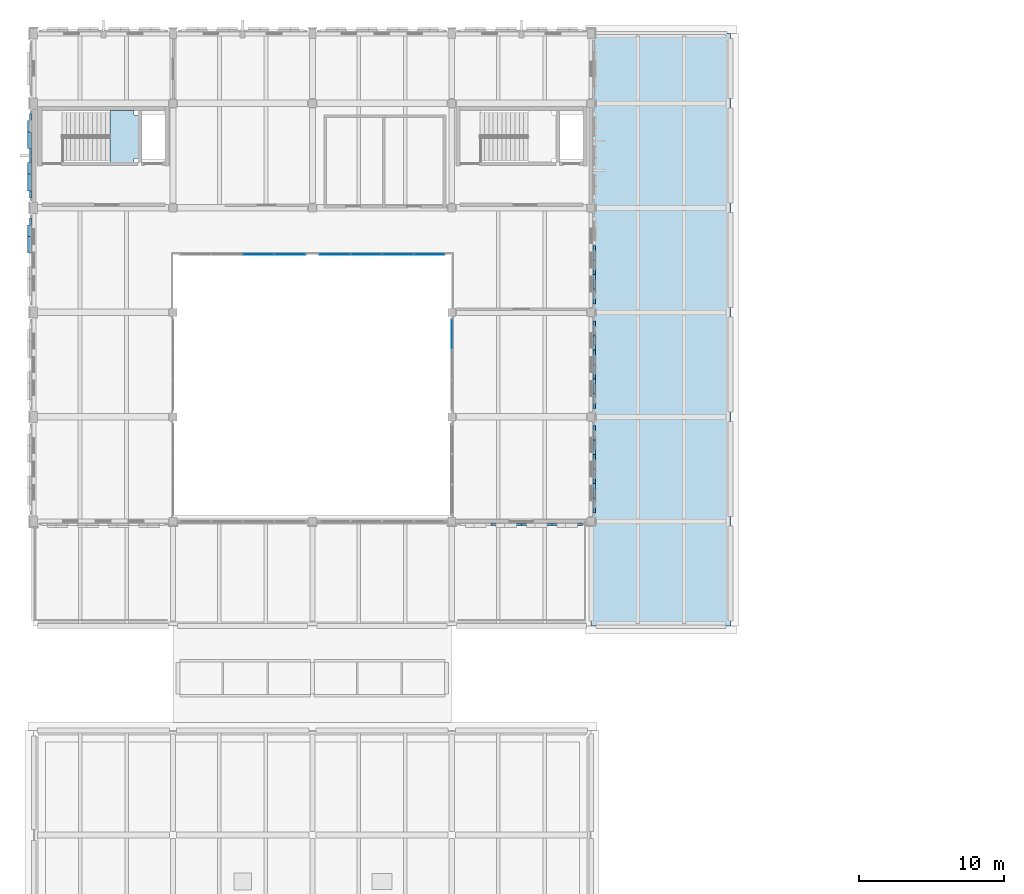
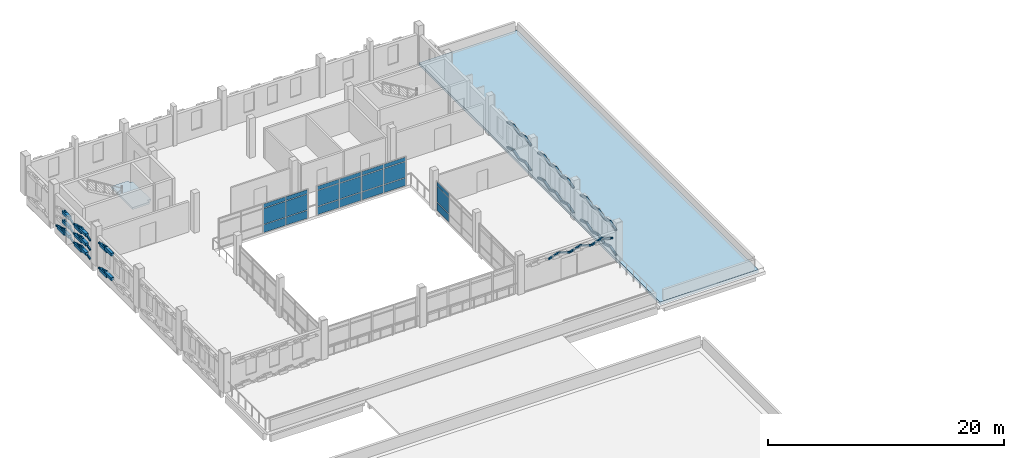
# One storey, part 30 of 50: 85 plates, 2 slabs, 4 elements without a shape of their own.
"""IFC4 building model written with IfcOpenShell, lengths in metres."""

from ifc_helpers import new_model, si_unit, direction, frame, origin, origin_2d, place, context, subcontext, project, spatial, polyline, rectangle, hollow_rectangle, outline, extrude, material, layer, layer_set, material_profile, profile_set, type_object, element, aggregate, save


model = new_model("IFC4")

# Units and contexts
model_context = context("Model", 3, precision=1e-05, world=origin(), true_north=direction((0.0, 1.0)))
body_context = subcontext(model_context, "Body", "Model", "MODEL_VIEW")
ifc_project = project(units=[si_unit("LENGTHUNIT", "METRE"), si_unit("AREAUNIT", "SQUARE_METRE"), si_unit("VOLUMEUNIT", "CUBIC_METRE"), si_unit("PLANEANGLEUNIT", "RADIAN"), si_unit("MASSUNIT", "GRAM", prefix="KILO")], contexts=[model_context])

# Site, building, storey
site_placement = place(None, origin())
site = spatial("IfcSite", under=ifc_project, at=site_placement, CompositionType="ELEMENT")
building_placement = place(site_placement, origin())
building = spatial("IfcBuilding", under=site, at=building_placement, Name="Asteropetra Specialist Clinic", CompositionType="ELEMENT")
storey_placement = place(building_placement, frame((0.0, 0.0, 16.659912109375)))
storey = spatial("IfcBuildingStorey", under=building, at=storey_placement, Name="L04", CompositionType="ELEMENT", Elevation=16.659912109375)

# Plates
ifc_material_1 = material(Name="Chevron emerald aluminium 6063-T6", Category="aluminium")
ifc_material_profile = material_profile(ifc_material_1, hollow_rectangle(XDim=0.159912109375, YDim=0.159912109375, WallThickness=0.008056640625, InnerFilletRadius=0.008056640625, OuterFilletRadius=0.01611328125, at=origin_2d()), Name="SHS 160x160x8.0")
ifc_profile_set = profile_set([ifc_material_profile], Name="Chevron emerald aluminium 6063-T6")
plate_type_1 = type_object("IfcPlateType", Name="CHV-RIB-160", PredefinedType="SHEET", material=ifc_profile_set)
plate_1_placement = place(storey_placement, frame((31.517578125, 76.5830078125, 2.6201171875), z_axis=(0.95198867955, 0.0, 0.30613322918), x_axis=(0.0, 1.0, 0.0)))
element("IfcPlate", 1, at=plate_1_placement, inside=storey, type_object=plate_type_1, Name="Chevron Facade Screen Fin CVR-1531", PredefinedType="SHEET", context=body_context, shape_type="SweptSolid", body=[
    extrude(hollow_rectangle(XDim=0.159912109375, YDim=0.159912109375, WallThickness=0.008056640625, InnerFilletRadius=0.008056640625, OuterFilletRadius=0.01611328125, at=origin_2d()), origin(), (0.0, 0.0, 1.0), 1.0830078125),
])
plate_2_placement = place(storey_placement, frame((32.548583984375, 76.5830078125, 2.95166015625), z_axis=(0.95203090576, 0.0, -0.306001886396), x_axis=(0.0, 1.0, 0.0)))
element("IfcPlate", 2, at=plate_2_placement, inside=storey, type_object=plate_type_1, Name="Chevron Facade Screen Fin CVR-1532", PredefinedType="SHEET", context=body_context, shape_type="SweptSolid", body=[
    extrude(hollow_rectangle(XDim=0.159912109375, YDim=0.159912109375, WallThickness=0.008056640625, InnerFilletRadius=0.008056640625, OuterFilletRadius=0.01611328125, at=origin_2d()), origin(), (0.0, 0.0, 1.0), 1.08349609375),
])
plate_3_placement = place(storey_placement, frame((33.6201171875, 76.5830078125, 2.6201171875), z_axis=(0.95198867955, 0.0, 0.30613322918), x_axis=(0.0, 1.0, 0.0)))
element("IfcPlate", 3, at=plate_3_placement, inside=storey, type_object=plate_type_1, Name="Chevron Facade Screen Fin CVR-1533", PredefinedType="SHEET", context=body_context, shape_type="SweptSolid", body=[
    extrude(hollow_rectangle(XDim=0.159912109375, YDim=0.159912109375, WallThickness=0.008056640625, InnerFilletRadius=0.008056640625, OuterFilletRadius=0.01611328125, at=origin_2d()), origin(), (0.0, 0.0, 1.0), 1.0830078125),
])
plate_4_placement = place(storey_placement, frame((34.651123046875, 76.5830078125, 2.95166015625), z_axis=(0.95203090576, 0.0, -0.306001886396), x_axis=(0.0, 1.0, 0.0)))
element("IfcPlate", 4, at=plate_4_placement, inside=storey, type_object=plate_type_1, Name="Chevron Facade Screen Fin CVR-1534", PredefinedType="SHEET", context=body_context, shape_type="SweptSolid", body=[
    extrude(hollow_rectangle(XDim=0.159912109375, YDim=0.159912109375, WallThickness=0.008056640625, InnerFilletRadius=0.008056640625, OuterFilletRadius=0.01611328125, at=origin_2d()), origin(), (0.0, 0.0, 1.0), 1.08349609375),
])
for number, where, z_axis, x_axis, name in (
    (5, (35.722412109375, 76.5830078125, 2.6201171875), (0.95200979945, 0.0, 0.306067544426), (0.0, 1.0, 0.0), "Chevron Facade Screen Fin CVR-1535"),
    (6, (36.753662109375, 76.5830078125, 2.95166015625), (0.95200979945, 0.0, -0.306067544426), (0.0, 1.0, 0.0), "Chevron Facade Screen Fin CVR-1536"),
):
    element("IfcPlate", number, at=place(storey_placement, frame(where, z_axis=z_axis, x_axis=x_axis)), inside=storey, type_object=plate_type_1, Name=name, PredefinedType="SHEET", context=body_context, shape_type="SweptSolid", body=[
        extrude(hollow_rectangle(XDim=0.159912109375, YDim=0.159912109375, WallThickness=0.008056640625, InnerFilletRadius=0.008056640625, OuterFilletRadius=0.01611328125, at=origin_2d()), origin(), (0.0, 0.0, 1.0), 1.083251953125),
    ])
for number, where, z_axis, x_axis, name in (
    (7, (38.616943359375, 77.4150390625, 0.050048828125), (0.0, 0.951922588053, 0.306338679169), (-1.0, 0.0, 0.0), "Chevron Facade Screen Fin CVR-1557"),
    (8, (38.616943359375, 78.396728515625, 0.365966796875), (0.0, 0.951922588053, -0.306338679169), (-1.0, 0.0, 0.0), "Chevron Facade Screen Fin CVR-1558"),
    (9, (38.616943359375, 77.4150390625, 2.64013671875), (0.0, 0.951991604152, 0.306124134337), (-1.0, 0.0, 0.0), "Chevron Facade Screen Fin CVR-1559"),
    (10, (38.616943359375, 78.396728515625, 2.955810546875), (0.0, 0.951991604152, -0.306124134337), (-1.0, 0.0, 0.0), "Chevron Facade Screen Fin CVR-1560"),
    (11, (38.616943359375, 79.418212890625, 0.050048828125), (0.0, 0.951922588053, 0.306338679169), (-1.0, 0.0, 0.0), "Chevron Facade Screen Fin CVR-1561"),
    (12, (38.616943359375, 80.39990234375, 0.365966796875), (0.0, 0.951922588053, -0.306338679169), (-1.0, 0.0, 0.0), "Chevron Facade Screen Fin CVR-1562"),
    (13, (38.616943359375, 79.418212890625, 2.64013671875), (0.0, 0.951991604152, 0.306124134337), (-1.0, 0.0, 0.0), "Chevron Facade Screen Fin CVR-1563"),
    (14, (38.616943359375, 80.39990234375, 2.955810546875), (0.0, 0.951991604152, -0.306124134337), (-1.0, 0.0, 0.0), "Chevron Facade Screen Fin CVR-1564"),
    (15, (38.616943359375, 81.421630859375, 0.050048828125), (0.0, 0.951922588053, 0.306338679169), (-1.0, 0.0, 0.0), "Chevron Facade Screen Fin CVR-1565"),
    (16, (38.616943359375, 82.4033203125, 0.365966796875), (0.0, 0.951922588053, -0.306338679169), (-1.0, 0.0, 0.0), "Chevron Facade Screen Fin CVR-1566"),
    (17, (38.616943359375, 81.421630859375, 2.64013671875), (0.0, 0.951991604152, 0.306124134337), (-1.0, 0.0, 0.0), "Chevron Facade Screen Fin CVR-1567"),
    (18, (38.616943359375, 82.4033203125, 2.955810546875), (0.0, 0.951991604152, -0.306124134337), (-1.0, 0.0, 0.0), "Chevron Facade Screen Fin CVR-1568"),
    (19, (38.616943359375, 84.614990234375, 0.050048828125), (0.0, 0.951922588053, 0.306338679169), (-1.0, 0.0, 0.0), "Chevron Facade Screen Fin CVR-1577"),
    (20, (38.616943359375, 85.5966796875, 0.365966796875), (0.0, 0.951922588053, -0.306338679169), (-1.0, 0.0, 0.0), "Chevron Facade Screen Fin CVR-1578"),
    (21, (38.616943359375, 84.614990234375, 2.64013671875), (0.0, 0.951991604152, 0.306124134337), (-1.0, 0.0, 0.0), "Chevron Facade Screen Fin CVR-1579"),
    (22, (38.616943359375, 85.5966796875, 2.955810546875), (0.0, 0.951991604152, -0.306124134337), (-1.0, 0.0, 0.0), "Chevron Facade Screen Fin CVR-1580"),
    (23, (38.616943359375, 86.618408203125, 0.050048828125), (0.0, 0.951922588053, 0.306338679169), (-1.0, 0.0, 0.0), "Chevron Facade Screen Fin CVR-1581"),
    (24, (38.616943359375, 87.60009765625, 0.365966796875), (0.0, 0.951922588053, -0.306338679169), (-1.0, 0.0, 0.0), "Chevron Facade Screen Fin CVR-1582"),
    (25, (38.616943359375, 86.618408203125, 2.64013671875), (0.0, 0.951991604152, 0.306124134337), (-1.0, 0.0, 0.0), "Chevron Facade Screen Fin CVR-1583"),
    (26, (38.616943359375, 87.60009765625, 2.955810546875), (0.0, 0.951991604152, -0.306124134337), (-1.0, 0.0, 0.0), "Chevron Facade Screen Fin CVR-1584"),
    (27, (38.616943359375, 88.62158203125, 0.050048828125), (0.0, 0.951922588053, 0.306338679169), (-1.0, 0.0, 0.0), "Chevron Facade Screen Fin CVR-1585"),
    (28, (38.616943359375, 89.603271484375, 0.365966796875), (0.0, 0.951922588053, -0.306338679169), (-1.0, 0.0, 0.0), "Chevron Facade Screen Fin CVR-1586"),
    (29, (38.616943359375, 88.62158203125, 2.64013671875), (0.0, 0.951991604152, 0.306124134337), (-1.0, 0.0, 0.0), "Chevron Facade Screen Fin CVR-1587"),
    (30, (38.616943359375, 89.603271484375, 2.955810546875), (0.0, 0.951991604152, -0.306124134337), (-1.0, 0.0, 0.0), "Chevron Facade Screen Fin CVR-1588"),
):
    element("IfcPlate", number, at=place(storey_placement, frame(where, z_axis=z_axis, x_axis=x_axis)), inside=storey, type_object=plate_type_1, Name=name, PredefinedType="SHEET", context=body_context, shape_type="SweptSolid", body=[
        extrude(hollow_rectangle(XDim=0.159912109375, YDim=0.159912109375, WallThickness=0.008056640625, InnerFilletRadius=0.008056640625, OuterFilletRadius=0.01611328125, at=origin_2d()), origin(), (0.0, 0.0, 1.0), 1.03125),
    ])
plate_5_placement = place(storey_placement, frame((-0.217041015625, 97.68505859375, 0.050048828125), z_axis=(0.0, -0.952507040007, 0.304516565619), x_axis=(1.0, 0.0, 0.0)))
element("IfcPlate", 31, at=plate_5_placement, inside=storey, type_object=plate_type_1, Name="Chevron Facade Screen Fin CVR-1589", PredefinedType="SHEET", context=body_context, shape_type="SweptSolid", body=[
    extrude(hollow_rectangle(XDim=0.159912109375, YDim=0.159912109375, WallThickness=0.008056640625, InnerFilletRadius=0.008056640625, OuterFilletRadius=0.01611328125, at=origin_2d()), origin(), (0.0, 0.0, 1.0), 1.504150390625),
])
plate_6_placement = place(storey_placement, frame((-0.217041015625, 97.68505859375, 2.64013671875), z_axis=(0.0, -0.964904086005, 0.262602560557), x_axis=(1.0, 0.0, 0.0)))
element("IfcPlate", 32, at=plate_6_placement, inside=storey, type_object=plate_type_1, Name="Chevron Facade Screen Fin CVR-1591", PredefinedType="SHEET", context=body_context, shape_type="SweptSolid", body=[
    extrude(hollow_rectangle(XDim=0.159912109375, YDim=0.159912109375, WallThickness=0.008056640625, InnerFilletRadius=0.008056640625, OuterFilletRadius=0.01611328125, at=origin_2d()), origin(), (0.0, 0.0, 1.0), 1.484619140625),
])
for number, where, z_axis, x_axis, name in (
    (33, (38.616943359375, 91.81494140625, 0.050048828125), (0.0, 0.951922588053, 0.306338679169), (-1.0, 0.0, 0.0), "Chevron Facade Screen Fin CVR-1597"),
    (34, (38.616943359375, 92.796630859375, 0.365966796875), (0.0, 0.951922588053, -0.306338679169), (-1.0, 0.0, 0.0), "Chevron Facade Screen Fin CVR-1598"),
    (35, (38.616943359375, 91.81494140625, 2.64013671875), (0.0, 0.951991604152, 0.306124134337), (-1.0, 0.0, 0.0), "Chevron Facade Screen Fin CVR-1599"),
    (36, (38.616943359375, 92.796630859375, 2.955810546875), (0.0, 0.951991604152, -0.306124134337), (-1.0, 0.0, 0.0), "Chevron Facade Screen Fin CVR-1600"),
    (37, (38.616943359375, 93.818359375, 0.050048828125), (0.0, 0.951922588053, 0.306338679169), (-1.0, 0.0, 0.0), "Chevron Facade Screen Fin CVR-1601"),
    (38, (38.616943359375, 94.800048828125, 0.365966796875), (0.0, 0.951922588053, -0.306338679169), (-1.0, 0.0, 0.0), "Chevron Facade Screen Fin CVR-1602"),
    (39, (38.616943359375, 93.818359375, 2.64013671875), (0.0, 0.951991604152, 0.306124134337), (-1.0, 0.0, 0.0), "Chevron Facade Screen Fin CVR-1603"),
    (40, (38.616943359375, 94.800048828125, 2.955810546875), (0.0, 0.951991604152, -0.306124134337), (-1.0, 0.0, 0.0), "Chevron Facade Screen Fin CVR-1604"),
):
    element("IfcPlate", number, at=place(storey_placement, frame(where, z_axis=z_axis, x_axis=x_axis)), inside=storey, type_object=plate_type_1, Name=name, PredefinedType="SHEET", context=body_context, shape_type="SweptSolid", body=[
        extrude(hollow_rectangle(XDim=0.159912109375, YDim=0.159912109375, WallThickness=0.008056640625, InnerFilletRadius=0.008056640625, OuterFilletRadius=0.01611328125, at=origin_2d()), origin(), (0.0, 0.0, 1.0), 1.03125),
    ])
plate_7_placement = place(storey_placement, frame((-0.217041015625, 104.885009765625, 0.06005859375), z_axis=(0.0, -0.952507040007, 0.304516565619), x_axis=(1.0, 0.0, 0.0)))
element("IfcPlate", 41, at=plate_7_placement, inside=storey, type_object=plate_type_1, Name="Chevron Facade Screen Fin CVR-1609", PredefinedType="SHEET", context=body_context, shape_type="SweptSolid", body=[
    extrude(hollow_rectangle(XDim=0.159912109375, YDim=0.159912109375, WallThickness=0.008056640625, InnerFilletRadius=0.008056640625, OuterFilletRadius=0.01611328125, at=origin_2d()), origin(), (0.0, 0.0, 1.0), 1.504150390625),
])
for number, where, z_axis, x_axis, name in (
    (42, (-0.217041015625, 103.452392578125, 0.51806640625), (0.0, -0.952491984317, -0.304563654777), (1.0, 0.0, 0.0), "Chevron Facade Screen Fin CVR-1610"),
    (43, (-0.217041015625, 103.452392578125, 1.47802734375), (0.0, -0.952491984317, -0.304563654777), (1.0, 0.0, 0.0), "Chevron Facade Screen Fin CVR-1612"),
    (44, (-0.217041015625, 103.452392578125, 2.43798828125), (0.0, -0.952491984317, -0.304563654777), (1.0, 0.0, 0.0), "Chevron Facade Screen Fin CVR-1614"),
    (45, (-0.217041015625, 101.97998046875, 0.06005859375), (0.0, -0.952491984317, 0.304563654777), (1.0, 0.0, 0.0), "Chevron Facade Screen Fin CVR-1615"),
):
    element("IfcPlate", number, at=place(storey_placement, frame(where, z_axis=z_axis, x_axis=x_axis)), inside=storey, type_object=plate_type_1, Name=name, PredefinedType="SHEET", context=body_context, shape_type="SweptSolid", body=[
        extrude(hollow_rectangle(XDim=0.159912109375, YDim=0.159912109375, WallThickness=0.008056640625, InnerFilletRadius=0.008056640625, OuterFilletRadius=0.01611328125, at=origin_2d()), origin(), (0.0, 0.0, 1.0), 1.50390625),
    ])
plate_8_placement = place(storey_placement, frame((-0.217041015625, 100.547607421875, 0.51806640625), z_axis=(0.0, -0.952507040007, -0.304516565619), x_axis=(1.0, 0.0, 0.0)))
element("IfcPlate", 46, at=plate_8_placement, inside=storey, type_object=plate_type_1, Name="Chevron Facade Screen Fin CVR-1616", PredefinedType="SHEET", context=body_context, shape_type="SweptSolid", body=[
    extrude(hollow_rectangle(XDim=0.159912109375, YDim=0.159912109375, WallThickness=0.008056640625, InnerFilletRadius=0.008056640625, OuterFilletRadius=0.01611328125, at=origin_2d()), origin(), (0.0, 0.0, 1.0), 1.504150390625),
])
plate_9_placement = place(storey_placement, frame((-0.217041015625, 101.97998046875, 1.02001953125), z_axis=(0.0, -0.952491984317, 0.304563654777), x_axis=(1.0, 0.0, 0.0)))
element("IfcPlate", 47, at=plate_9_placement, inside=storey, type_object=plate_type_1, Name="Chevron Facade Screen Fin CVR-1617", PredefinedType="SHEET", context=body_context, shape_type="SweptSolid", body=[
    extrude(hollow_rectangle(XDim=0.159912109375, YDim=0.159912109375, WallThickness=0.008056640625, InnerFilletRadius=0.008056640625, OuterFilletRadius=0.01611328125, at=origin_2d()), origin(), (0.0, 0.0, 1.0), 1.50390625),
])
plate_10_placement = place(storey_placement, frame((-0.217041015625, 100.547607421875, 1.47802734375), z_axis=(0.0, -0.952507040007, -0.304516565619), x_axis=(1.0, 0.0, 0.0)))
element("IfcPlate", 48, at=plate_10_placement, inside=storey, type_object=plate_type_1, Name="Chevron Facade Screen Fin CVR-1618", PredefinedType="SHEET", context=body_context, shape_type="SweptSolid", body=[
    extrude(hollow_rectangle(XDim=0.159912109375, YDim=0.159912109375, WallThickness=0.008056640625, InnerFilletRadius=0.008056640625, OuterFilletRadius=0.01611328125, at=origin_2d()), origin(), (0.0, 0.0, 1.0), 1.504150390625),
])
plate_11_placement = place(storey_placement, frame((-0.217041015625, 101.97998046875, 1.97998046875), z_axis=(0.0, -0.952491984317, 0.304563654777), x_axis=(1.0, 0.0, 0.0)))
element("IfcPlate", 49, at=plate_11_placement, inside=storey, type_object=plate_type_1, Name="Chevron Facade Screen Fin CVR-1619", PredefinedType="SHEET", context=body_context, shape_type="SweptSolid", body=[
    extrude(hollow_rectangle(XDim=0.159912109375, YDim=0.159912109375, WallThickness=0.008056640625, InnerFilletRadius=0.008056640625, OuterFilletRadius=0.01611328125, at=origin_2d()), origin(), (0.0, 0.0, 1.0), 1.50390625),
])
plate_12_placement = place(storey_placement, frame((-0.217041015625, 100.547607421875, 2.43798828125), z_axis=(0.0, -0.952507040007, -0.304516565619), x_axis=(1.0, 0.0, 0.0)))
element("IfcPlate", 50, at=plate_12_placement, inside=storey, type_object=plate_type_1, Name="Chevron Facade Screen Fin CVR-1620", PredefinedType="SHEET", context=body_context, shape_type="SweptSolid", body=[
    extrude(hollow_rectangle(XDim=0.159912109375, YDim=0.159912109375, WallThickness=0.008056640625, InnerFilletRadius=0.008056640625, OuterFilletRadius=0.01611328125, at=origin_2d()), origin(), (0.0, 0.0, 1.0), 1.504150390625),
])

# Curtain wall, plates
ifc_material_2 = material(Name="Aluminium and low-E glass", Category="aluminium")
ifc_layer_1 = layer(ifc_material_2, 0.179931640625)
ifc_layer_set_1 = layer_set([ifc_layer_1], Name="Aluminium and low-E glass")
curtain_wall_type_1 = type_object("IfcCurtainWallType", Name="CW-SYS-04", PredefinedType="USERDEFINED", material=ifc_layer_set_1)
curtain_wall_1_placement = place(storey_placement, origin())
curtain_wall_1 = element("IfcCurtainWall", 51, at=curtain_wall_1_placement, inside=storey, type_object=curtain_wall_type_1, Name="Curtain Wall CW-052", ObjectType="UNITISED CURTAIN WALL", PredefinedType="USERDEFINED")
ifc_material_3 = material(Name="Low-E double glazing", Category="glass")
ifc_layer_2 = layer(ifc_material_3, 0.028076171875)
ifc_layer_set_2 = layer_set([ifc_layer_2], Name="Low-E double glazing")
plate_type_2 = type_object("IfcPlateType", Name="CWP-GLZ-28", PredefinedType="CURTAIN_PANEL", material=ifc_layer_set_2)
plate_13_placement = place(storey_placement, frame((27.253662109375, 95.199951171875, 0.06494140625), z_axis=(0.0, 0.0, 1.0), x_axis=(-1.0, 0.0, 0.0)))
plate_13 = element("IfcPlate", 52, at=plate_13_placement, type_object=plate_type_2, Name="CW-052 panel 1.1", PredefinedType="CURTAIN_PANEL", context=body_context, shape_type="SweptSolid", body=[
    extrude(rectangle(XDim=2.08251953125, YDim=0.028076171875, at=origin_2d()), origin(), (0.0, 0.0, 1.0), 0.802490234375),
])
plate_14_placement = place(storey_placement, frame((27.253662109375, 95.199951171875, 0.9326171875), z_axis=(0.0, 0.0, 1.0), x_axis=(-1.0, 0.0, 0.0)))
plate_14 = element("IfcPlate", 53, at=plate_14_placement, type_object=plate_type_2, Name="CW-052 panel 1.2", PredefinedType="CURTAIN_PANEL", context=body_context, shape_type="SweptSolid", body=[
    extrude(rectangle(XDim=2.08251953125, YDim=0.028076171875, at=origin_2d()), origin(), (0.0, 0.0, 1.0), 1.614990234375),
])
plate_15_placement = place(storey_placement, frame((27.253662109375, 95.199951171875, 2.6123046875), z_axis=(0.0, 0.0, 1.0), x_axis=(-1.0, 0.0, 0.0)))
plate_15 = element("IfcPlate", 54, at=plate_15_placement, type_object=plate_type_2, Name="CW-052 panel 1.3", PredefinedType="CURTAIN_PANEL", context=body_context, shape_type="SweptSolid", body=[
    extrude(rectangle(XDim=2.08251953125, YDim=0.028076171875, at=origin_2d()), origin(), (0.0, 0.0, 1.0), 0.402587890625),
])
plate_16_placement = place(storey_placement, frame((25.090087890625, 95.199951171875, 0.06494140625), z_axis=(0.0, 0.0, 1.0), x_axis=(-1.0, 0.0, 0.0)))
plate_16 = element("IfcPlate", 55, at=plate_16_placement, type_object=plate_type_2, Name="CW-052 panel 2.1", PredefinedType="CURTAIN_PANEL", context=body_context, shape_type="SweptSolid", body=[
    extrude(rectangle(XDim=2.114990234375, YDim=0.028076171875, at=origin_2d()), origin(), (0.0, 0.0, 1.0), 0.802490234375),
])
plate_17_placement = place(storey_placement, frame((25.090087890625, 95.199951171875, 0.9326171875), z_axis=(0.0, 0.0, 1.0), x_axis=(-1.0, 0.0, 0.0)))
plate_17 = element("IfcPlate", 56, at=plate_17_placement, type_object=plate_type_2, Name="CW-052 panel 2.2", PredefinedType="CURTAIN_PANEL", context=body_context, shape_type="SweptSolid", body=[
    extrude(rectangle(XDim=2.114990234375, YDim=0.028076171875, at=origin_2d()), origin(), (0.0, 0.0, 1.0), 1.614990234375),
])
plate_18_placement = place(storey_placement, frame((25.090087890625, 95.199951171875, 2.6123046875), z_axis=(0.0, 0.0, 1.0), x_axis=(-1.0, 0.0, 0.0)))
plate_18 = element("IfcPlate", 57, at=plate_18_placement, type_object=plate_type_2, Name="CW-052 panel 2.3", PredefinedType="CURTAIN_PANEL", context=body_context, shape_type="SweptSolid", body=[
    extrude(rectangle(XDim=2.114990234375, YDim=0.028076171875, at=origin_2d()), origin(), (0.0, 0.0, 1.0), 0.402587890625),
])
plate_19_placement = place(storey_placement, frame((22.909912109375, 95.199951171875, 0.06494140625), z_axis=(0.0, 0.0, 1.0), x_axis=(-1.0, 0.0, 0.0)))
plate_19 = element("IfcPlate", 58, at=plate_19_placement, type_object=plate_type_2, Name="CW-052 panel 3.1", PredefinedType="CURTAIN_PANEL", context=body_context, shape_type="SweptSolid", body=[
    extrude(rectangle(XDim=2.114990234375, YDim=0.028076171875, at=origin_2d()), origin(), (0.0, 0.0, 1.0), 0.802490234375),
])
plate_20_placement = place(storey_placement, frame((22.909912109375, 95.199951171875, 0.9326171875), z_axis=(0.0, 0.0, 1.0), x_axis=(-1.0, 0.0, 0.0)))
plate_20 = element("IfcPlate", 59, at=plate_20_placement, type_object=plate_type_2, Name="CW-052 panel 3.2", PredefinedType="CURTAIN_PANEL", context=body_context, shape_type="SweptSolid", body=[
    extrude(rectangle(XDim=2.114990234375, YDim=0.028076171875, at=origin_2d()), origin(), (0.0, 0.0, 1.0), 1.614990234375),
])
plate_21_placement = place(storey_placement, frame((22.909912109375, 95.199951171875, 2.6123046875), z_axis=(0.0, 0.0, 1.0), x_axis=(-1.0, 0.0, 0.0)))
plate_21 = element("IfcPlate", 60, at=plate_21_placement, type_object=plate_type_2, Name="CW-052 panel 3.3", PredefinedType="CURTAIN_PANEL", context=body_context, shape_type="SweptSolid", body=[
    extrude(rectangle(XDim=2.114990234375, YDim=0.028076171875, at=origin_2d()), origin(), (0.0, 0.0, 1.0), 0.402587890625),
])
plate_22_placement = place(storey_placement, frame((20.746337890625, 95.199951171875, 0.06494140625), z_axis=(0.0, 0.0, 1.0), x_axis=(-1.0, 0.0, 0.0)))
plate_22 = element("IfcPlate", 61, at=plate_22_placement, type_object=plate_type_2, Name="CW-052 panel 4.1", PredefinedType="CURTAIN_PANEL", context=body_context, shape_type="SweptSolid", body=[
    extrude(rectangle(XDim=2.08251953125, YDim=0.028076171875, at=origin_2d()), origin(), (0.0, 0.0, 1.0), 0.802490234375),
])
plate_23_placement = place(storey_placement, frame((20.746337890625, 95.199951171875, 0.9326171875), z_axis=(0.0, 0.0, 1.0), x_axis=(-1.0, 0.0, 0.0)))
plate_23 = element("IfcPlate", 62, at=plate_23_placement, type_object=plate_type_2, Name="CW-052 panel 4.2", PredefinedType="CURTAIN_PANEL", context=body_context, shape_type="SweptSolid", body=[
    extrude(rectangle(XDim=2.08251953125, YDim=0.028076171875, at=origin_2d()), origin(), (0.0, 0.0, 1.0), 1.614990234375),
])
plate_24_placement = place(storey_placement, frame((20.746337890625, 95.199951171875, 2.6123046875), z_axis=(0.0, 0.0, 1.0), x_axis=(-1.0, 0.0, 0.0)))
plate_24 = element("IfcPlate", 63, at=plate_24_placement, type_object=plate_type_2, Name="CW-052 panel 4.3", PredefinedType="CURTAIN_PANEL", context=body_context, shape_type="SweptSolid", body=[
    extrude(rectangle(XDim=2.08251953125, YDim=0.028076171875, at=origin_2d()), origin(), (0.0, 0.0, 1.0), 0.402587890625),
])
aggregate(curtain_wall_1, [plate_13, plate_14, plate_15, plate_16, plate_17, plate_18, plate_19, plate_20, plate_21, plate_22, plate_23, plate_24])

ifc_material_4 = material(Name="Aluminium and low-E glass", Category="aluminium")
ifc_layer_3 = layer(ifc_material_4, 0.135009765625)
ifc_layer_set_3 = layer_set([ifc_layer_3], Name="Aluminium and low-E glass")
curtain_wall_type_2 = type_object("IfcCurtainWallType", Name="CW-SYS-06", PredefinedType="USERDEFINED", material=ifc_layer_set_3)
curtain_wall_2_placement = place(storey_placement, origin())
curtain_wall_2 = element("IfcCurtainWall", 64, at=curtain_wall_2_placement, inside=storey, type_object=curtain_wall_type_2, Name="Curtain Wall CW-056", ObjectType="UNITISED CURTAIN WALL", PredefinedType="USERDEFINED")
plate_25_placement = place(storey_placement, frame((28.800048828125, 89.695068359375, 0.06005859375), z_axis=(0.0, 0.0, 1.0), x_axis=(0.0, 1.0, 0.0)))
plate_25 = element("IfcPlate", 65, at=plate_25_placement, type_object=plate_type_2, Name="CW-056 panel 3.1", PredefinedType="CURTAIN_PANEL", context=body_context, shape_type="SweptSolid", body=[
    extrude(rectangle(XDim=2.02001953125, YDim=0.028076171875, at=origin_2d()), origin(), (0.0, 0.0, 1.0), 0.81005859375),
])
plate_26_placement = place(storey_placement, frame((28.800048828125, 89.695068359375, 0.929931640625), z_axis=(0.0, 0.0, 1.0), x_axis=(0.0, 1.0, 0.0)))
plate_26 = element("IfcPlate", 66, at=plate_26_placement, type_object=plate_type_2, Name="CW-056 panel 3.2", PredefinedType="CURTAIN_PANEL", context=body_context, shape_type="SweptSolid", body=[
    extrude(rectangle(XDim=2.02001953125, YDim=0.028076171875, at=origin_2d()), origin(), (0.0, 0.0, 1.0), 1.6201171875),
])
plate_27_placement = place(storey_placement, frame((28.800048828125, 89.695068359375, 2.6103515625), z_axis=(0.0, 0.0, 1.0), x_axis=(0.0, 1.0, 0.0)))
plate_27 = element("IfcPlate", 67, at=plate_27_placement, type_object=plate_type_2, Name="CW-056 panel 3.3", PredefinedType="CURTAIN_PANEL", context=body_context, shape_type="SweptSolid", body=[
    extrude(rectangle(XDim=2.02001953125, YDim=0.028076171875, at=origin_2d()), origin(), (0.0, 0.0, 1.0), 0.409912109375),
])
aggregate(curtain_wall_2, [plate_25, plate_26, plate_27])

ifc_material_5 = material(Name="Aluminium and low-E glass", Category="aluminium")
ifc_layer_4 = layer(ifc_material_5, 0.135009765625)
ifc_layer_set_4 = layer_set([ifc_layer_4], Name="Aluminium and low-E glass")
curtain_wall_type_3 = type_object("IfcCurtainWallType", Name="CW-SYS-03", PredefinedType="USERDEFINED", material=ifc_layer_set_4)
curtain_wall_3_placement = place(storey_placement, origin())
curtain_wall_3 = element("IfcCurtainWall", 68, at=curtain_wall_3_placement, inside=storey, type_object=curtain_wall_type_3, Name="Curtain Wall CW-050", ObjectType="UNITISED CURTAIN WALL", PredefinedType="USERDEFINED")
ifc_material_6 = material(Name="Solar-control triple glazing", Category="glass")
ifc_layer_5 = layer(ifc_material_6, 0.035888671875)
ifc_layer_set_5 = layer_set([ifc_layer_5], Name="Solar-control triple glazing")
plate_type_3 = type_object("IfcPlateType", Name="CWP-GLZ-36", PredefinedType="CURTAIN_PANEL", material=ifc_layer_set_5)
plate_28_placement = place(storey_placement, frame((17.655029296875, 95.199951171875, 0.06005859375), z_axis=(0.0, 0.0, 1.0), x_axis=(-1.0, 0.0, 0.0)))
plate_28 = element("IfcPlate", 69, at=plate_28_placement, type_object=plate_type_3, Name="CW-050 panel 1.1", PredefinedType="CURTAIN_PANEL", context=body_context, shape_type="SweptSolid", body=[
    extrude(rectangle(XDim=2.090087890625, YDim=0.035888671875, at=origin_2d()), origin(), (0.0, 0.0, 1.0), 0.81005859375),
])
plate_29_placement = place(storey_placement, frame((17.655029296875, 95.199951171875, 0.929931640625), z_axis=(0.0, 0.0, 1.0), x_axis=(-1.0, 0.0, 0.0)))
plate_29 = element("IfcPlate", 70, at=plate_29_placement, type_object=plate_type_3, Name="CW-050 panel 1.2", PredefinedType="CURTAIN_PANEL", context=body_context, shape_type="SweptSolid", body=[
    extrude(rectangle(XDim=2.090087890625, YDim=0.035888671875, at=origin_2d()), origin(), (0.0, 0.0, 1.0), 1.6201171875),
])
plate_30_placement = place(storey_placement, frame((17.655029296875, 95.199951171875, 2.6103515625), z_axis=(0.0, 0.0, 1.0), x_axis=(-1.0, 0.0, 0.0)))
plate_30 = element("IfcPlate", 71, at=plate_30_placement, type_object=plate_type_3, Name="CW-050 panel 1.3", PredefinedType="CURTAIN_PANEL", context=body_context, shape_type="SweptSolid", body=[
    extrude(rectangle(XDim=2.090087890625, YDim=0.035888671875, at=origin_2d()), origin(), (0.0, 0.0, 1.0), 0.409912109375),
])
plate_31_placement = place(storey_placement, frame((15.489990234375, 95.199951171875, 0.06005859375), z_axis=(0.0, 0.0, 1.0), x_axis=(-1.0, 0.0, 0.0)))
plate_31 = element("IfcPlate", 72, at=plate_31_placement, type_object=plate_type_3, Name="CW-050 panel 2.1", PredefinedType="CURTAIN_PANEL", context=body_context, shape_type="SweptSolid", body=[
    extrude(rectangle(XDim=2.1201171875, YDim=0.035888671875, at=origin_2d()), origin(), (0.0, 0.0, 1.0), 0.81005859375),
])
plate_32_placement = place(storey_placement, frame((15.489990234375, 95.199951171875, 0.929931640625), z_axis=(0.0, 0.0, 1.0), x_axis=(-1.0, 0.0, 0.0)))
plate_32 = element("IfcPlate", 73, at=plate_32_placement, type_object=plate_type_3, Name="CW-050 panel 2.2", PredefinedType="CURTAIN_PANEL", context=body_context, shape_type="SweptSolid", body=[
    extrude(rectangle(XDim=2.1201171875, YDim=0.035888671875, at=origin_2d()), origin(), (0.0, 0.0, 1.0), 1.6201171875),
])
plate_33_placement = place(storey_placement, frame((15.489990234375, 95.199951171875, 2.6103515625), z_axis=(0.0, 0.0, 1.0), x_axis=(-1.0, 0.0, 0.0)))
plate_33 = element("IfcPlate", 74, at=plate_33_placement, type_object=plate_type_3, Name="CW-050 panel 2.3", PredefinedType="CURTAIN_PANEL", context=body_context, shape_type="SweptSolid", body=[
    extrude(rectangle(XDim=2.1201171875, YDim=0.035888671875, at=origin_2d()), origin(), (0.0, 0.0, 1.0), 0.409912109375),
])
aggregate(curtain_wall_3, [plate_28, plate_29, plate_30, plate_31, plate_32, plate_33])

# Plates
ifc_material_7 = material(Name="Aluminium 6063-T6", Category="aluminium")
ifc_layer_6 = layer(ifc_material_7, 0.139892578125)
ifc_layer_set_6 = layer_set([ifc_layer_6], Name="Aluminium 6063-T6")
plate_type_4 = type_object("IfcPlateType", Name="PLT-CHV-TILE", PredefinedType="SHEET", material=ifc_layer_set_6)
for number, where, z_axis, x_axis, name in (
    (75, (-0.27490234375, 96.653564453125, 0.03759765625), (0.0, 0.0, 1.0), (1.0, 0.0, 0.0), "Chevron Ceramic Panel CPT-1295"),
    (76, (-0.27490234375, 95.851318359375, 0.21142578125), (0.0, 0.0, 1.0), (1.0, 0.0, 0.0), "Chevron Ceramic Panel CPT-1296"),
    (77, (-0.27490234375, 96.653564453125, 2.60693359375), (0.0, 0.0, 1.0), (1.0, 0.0, 0.0), "Chevron Ceramic Panel CPT-1297"),
    (78, (-0.27490234375, 95.851318359375, 2.75537109375), (0.0, 0.0, 1.0), (1.0, 0.0, 0.0), "Chevron Ceramic Panel CPT-1298"),
    (79, (-0.27490234375, 103.853515625, 0.04736328125), (0.0, 0.0, 1.0), (1.0, 0.0, 0.0), "Chevron Ceramic Panel CPT-1315"),
    (80, (-0.27490234375, 103.051513671875, 0.2216796875), (0.0, 0.0, 1.0), (1.0, 0.0, 0.0), "Chevron Ceramic Panel CPT-1316"),
    (81, (-0.27490234375, 103.051513671875, 1.181640625), (0.0, 0.0, 1.0), (1.0, 0.0, 0.0), "Chevron Ceramic Panel CPT-1318"),
    (82, (-0.27490234375, 103.051513671875, 2.1416015625), (0.0, 0.0, 1.0), (1.0, 0.0, 0.0), "Chevron Ceramic Panel CPT-1320"),
    (83, (-0.27490234375, 100.948486328125, 0.04736328125), (0.0, 0.0, 1.0), (1.0, 0.0, 0.0), "Chevron Ceramic Panel CPT-1321"),
    (84, (-0.27490234375, 100.146484375, 0.2216796875), (0.0, 0.0, 1.0), (1.0, 0.0, 0.0), "Chevron Ceramic Panel CPT-1322"),
    (85, (-0.27490234375, 100.948486328125, 1.00732421875), (0.0, 0.0, 1.0), (1.0, 0.0, 0.0), "Chevron Ceramic Panel CPT-1323"),
    (86, (-0.27490234375, 100.146484375, 1.181640625), (0.0, 0.0, 1.0), (1.0, 0.0, 0.0), "Chevron Ceramic Panel CPT-1324"),
    (87, (-0.27490234375, 100.948486328125, 1.96728515625), (0.0, 0.0, 1.0), (1.0, 0.0, 0.0), "Chevron Ceramic Panel CPT-1325"),
    (88, (-0.27490234375, 100.146484375, 2.1416015625), (0.0, 0.0, 1.0), (1.0, 0.0, 0.0), "Chevron Ceramic Panel CPT-1326"),
):
    element("IfcPlate", number, at=place(storey_placement, frame(where, z_axis=z_axis, x_axis=x_axis)), inside=storey, type_object=plate_type_4, Name=name, PredefinedType="SHEET", context=body_context, shape_type="SweptSolid", body=[
        extrude(rectangle(XDim=0.280029296875, YDim=1.14599609375, at=origin_2d()), origin(), (0.0, 0.0, 1.0), 0.300048828125),
    ])

# Stair, slab
ifc_material_8 = material(Name="Concrete C35/45", Category="concrete")
stair_type = type_object("IfcStairType", Name="STR-DOG-165", PredefinedType="TWO_STRAIGHT_RUN_STAIR", material=ifc_material_8)
stair_placement = place(storey_placement, origin())
stair = element("IfcStair", 89, at=stair_placement, inside=storey, type_object=stair_type, Name="Type I Stair ST01-L04", PredefinedType="TWO_STRAIGHT_RUN_STAIR")
ifc_material_9 = material(Name="Concrete C35/45", Category="concrete")
ifc_layer_7 = layer(ifc_material_9, 0.199951171875)
ifc_layer_set_7 = layer_set([ifc_layer_7], Name="Concrete C35/45")
slab_type_1 = type_object("IfcSlabType", Name="SLB-LND-200", PredefinedType="LANDING", material=ifc_layer_set_7)
slab_1_placement = place(storey_placement, frame((0.0, 0.0, 1.840087890625)))
slab_1 = element("IfcSlab", 90, at=slab_1_placement, type_object=slab_type_1, Name="ST01-L04 landing 1", PredefinedType="LANDING", context=body_context, shape_type="SweptSolid", body=[
    extrude(outline(polyline([(5.25, 101.469970703125), (6.89990234375, 101.469970703125), (6.89990234375, 101.7900390625), (7.219970703125, 101.7900390625), (7.219970703125, 104.7900390625), (6.89990234375, 104.7900390625), (6.89990234375, 105.110107421875), (5.25, 105.110107421875), (5.25, 101.469970703125)])), origin(), (0.0, 0.0, 1.0), 0.199951171875),
])
aggregate(stair, [slab_1])

# Slab
ifc_material_10 = material(Name="Concrete C35/45", Category="concrete")
ifc_layer_8 = layer(ifc_material_10, 0.27001953125)
ifc_layer_set_8 = layer_set([ifc_layer_8], Name="Concrete C35/45")
slab_type_2 = type_object("IfcSlabType", Name="SLB-ROOF-270", PredefinedType="ROOF", material=ifc_layer_set_8)
slab_2_placement = place(storey_placement, frame((0.0, 0.0, -0.27001953125)))
element("IfcSlab", 91, at=slab_2_placement, inside=storey, type_object=slab_type_2, Name="Slab V4-E-HIGH-ROOF L04", PredefinedType="ROOF", context=body_context, shape_type="SweptSolid", body=[
    extrude(outline(polyline([(38.39990234375, 69.60009765625), (48.0, 69.60009765625), (48.0, 110.39990234375), (38.39990234375, 110.39990234375), (38.39990234375, 69.60009765625)])), origin(), (0.0, 0.0, 1.0), 0.27001953125),
])

save(model, "model.ifc")
